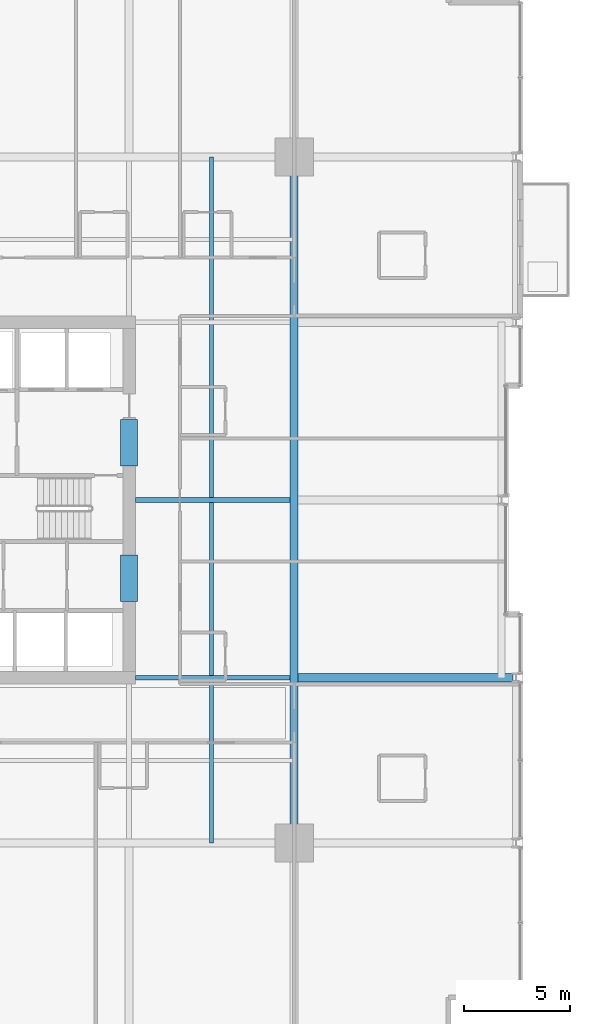
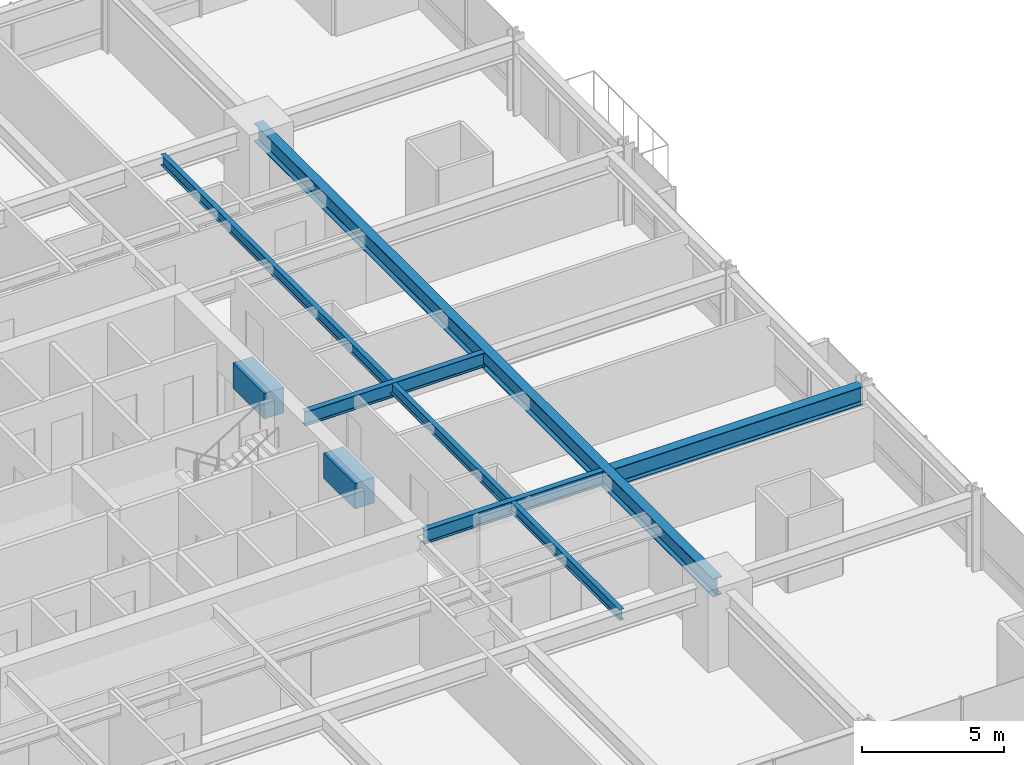
# One storey, part 15 of 38: 7 beams.
"""IFC4 building model written with IfcOpenShell, lengths in metres."""

import ifcopenshell
import ifcopenshell.guid

model = None  # the IFC model being written
_history = None  # IfcOwnerHistory: only IFC2X3 demands one
_inside = {}  # id of a spatial element -> (the spatial element, [elements in it])
_under = {}  # id of a project, library or spatial element -> (it, [spatial elements below it])
_declared = {}  # id of a project -> (the project, [libraries it declares])
_typed = {}  # id of a type object -> (the type object, [elements of that type])
_made_of = {}  # id of a material, layer set ... -> (it, [elements and type objects made of it])


def new_model(schema):
    """Start an empty IFC model of exactly this schema.

    Asked for "IFC4X3", IfcOpenShell would pick the latest addendum, in which some entities
    have other attributes; the version numbers below select the first issue.
    IFC2X3 requires an IfcOwnerHistory on every rooted entity: one is made here for all.
    """
    global model, _history
    if schema == "IFC4X3":
        model = ifcopenshell.file(schema_version=(4, 3, 0, 0))
    else:
        model = ifcopenshell.file(schema=schema)
    _inside.clear()
    _under.clear()
    _declared.clear()
    _typed.clear()
    _made_of.clear()
    _history = None
    if model.schema == "IFC2X3":
        org = make("IfcOrganization", Name="unknown")
        user = make(
            "IfcPersonAndOrganization",
            ThePerson=make("IfcPerson", FamilyName="unknown"),
            TheOrganization=org,
        )
        app = make(
            "IfcApplication",
            ApplicationDeveloper=org,
            Version="unknown",
            ApplicationFullName="unknown",
            ApplicationIdentifier="unknown",
        )
        _history = make(
            "IfcOwnerHistory",
            OwningUser=user,
            OwningApplication=app,
            ChangeAction="ADDED",
            CreationDate=0,
        )
    return model


def make(cls, **values):
    """One entity of the class cls with the attributes given. An attribute that is None is left unset."""
    return model.create_entity(
        cls, **{name: value for name, value in values.items() if value is not None}
    )


def rooted(cls, **values):
    """An entity with a GlobalId (a new one), such as an element, a storey or a relation."""
    return make(cls, GlobalId=ifcopenshell.guid.new(), OwnerHistory=_history, **values)


def si_unit(unit_type, name, prefix=None):
    """IfcSIUnit, for example si_unit("LENGTHUNIT", "METRE", prefix="MILLI")."""
    return make("IfcSIUnit", UnitType=unit_type, Prefix=prefix, Name=name)


def assignment(units):
    """IfcUnitAssignment: the units of a project."""
    return None if units is None else make("IfcUnitAssignment", Units=units)


def point(xyz):
    """IfcCartesianPoint."""
    return None if xyz is None else make("IfcCartesianPoint", Coordinates=xyz)


def direction(xyz):
    """IfcDirection."""
    return None if xyz is None else make("IfcDirection", DirectionRatios=xyz)


def frame(location, z_axis=None, x_axis=None):
    """IfcAxis2Placement3D, a coordinate frame: its origin and axes. An axis left out is left unset."""
    return make(
        "IfcAxis2Placement3D",
        Location=point(location),
        Axis=direction(z_axis),
        RefDirection=direction(x_axis),
    )


def frame_2d(location, x_axis=None):
    """IfcAxis2Placement2D, a coordinate frame in the plane: its origin and x axis."""
    return make(
        "IfcAxis2Placement2D", Location=point(location), RefDirection=direction(x_axis)
    )


def origin():
    """The frame at (0, 0, 0) with its axes left unset."""
    return frame((0.0, 0.0, 0.0))


def origin_2d():
    """The frame at (0, 0) in the plane with its x axis left unset."""
    return frame_2d((0.0, 0.0))


def place(relative_to, where):
    """IfcLocalPlacement: puts the frame where relative to a parent placement (None: the world)."""
    return make(
        "IfcLocalPlacement", PlacementRelTo=relative_to, RelativePlacement=where
    )


def context(
    kind, dimensions, precision=None, world=None, true_north=None, identifier=None
):
    """IfcGeometricRepresentationContext, for example the 3D "Model" context."""
    return make(
        "IfcGeometricRepresentationContext",
        ContextIdentifier=identifier,
        ContextType=kind,
        CoordinateSpaceDimension=dimensions,
        Precision=precision,
        WorldCoordinateSystem=world,
        TrueNorth=true_north,
    )


def subcontext(parent, identifier, kind, view, scale=None):
    """IfcGeometricRepresentationSubContext, for example "Body" below "Model"."""
    return make(
        "IfcGeometricRepresentationSubContext",
        ContextIdentifier=identifier,
        ContextType=kind,
        ParentContext=parent,
        TargetScale=scale,
        TargetView=view,
    )


def project(units=None, contexts=None):
    """IfcProject with its units and contexts."""
    return rooted(
        "IfcProject",
        Name="project",
        RepresentationContexts=contexts,
        UnitsInContext=assignment(units),
    )


def spatial(cls, under=None, at=None, **own):
    """A site, building, storey or space (cls), placed at a placement, below another one or the project."""
    s = rooted(cls, ObjectPlacement=at, **own)
    if under is not None:
        _under.setdefault(under.id(), (under, []))[1].append(s)
    return s


def profile(cls, at=None, kind="AREA", **sizes):
    """A parametric profile (cls). Its sizes go by their IFC names, for example OverallWidth=200.0."""
    return make(cls, ProfileType=kind, Position=at, **sizes)


def rectangle(**sizes):
    """IfcRectangleProfileDef."""
    return profile("IfcRectangleProfileDef", **sizes)


def i_section(**sizes):
    """IfcIShapeProfileDef."""
    return profile("IfcIShapeProfileDef", **sizes)


def extrude(swept, where, along, depth):
    """IfcExtrudedAreaSolid: the profile swept, set in the frame where, extruded along a direction by depth."""
    return make(
        "IfcExtrudedAreaSolid",
        SweptArea=swept,
        Position=where,
        ExtrudedDirection=direction(along),
        Depth=depth,
    )


def shape(context_of_items, identifier, shape_type, items):
    """IfcShapeRepresentation: the items that make up one representation, for example the "Body"."""
    return make(
        "IfcShapeRepresentation",
        ContextOfItems=context_of_items,
        RepresentationIdentifier=identifier,
        RepresentationType=shape_type,
        Items=items,
    )


def material(Name=None, Category=None):
    """IfcMaterial."""
    return make("IfcMaterial", Name=Name, Category=Category)


def material_profile(
    of_material, cross_section, Name=None, Category=None, Priority=None
):
    """IfcMaterialProfile: a cross section and its material."""
    return make(
        "IfcMaterialProfile",
        Name=Name,
        Material=of_material,
        Profile=cross_section,
        Priority=Priority,
        Category=Category,
    )


def profile_set(profiles, Name=None, composite=None):
    """IfcMaterialProfileSet."""
    return make(
        "IfcMaterialProfileSet",
        Name=Name,
        MaterialProfiles=profiles,
        CompositeProfile=composite,
    )


def made_of(thing, what):
    """Note that an element or type object is made of a material, layer set ...; save() writes the relation."""
    if what is not None:
        _made_of.setdefault(what.id(), (what, []))[1].append(thing)
    return thing


def type_object(cls, material=None, **own):
    """A type object (cls), such as IfcWallType, which elements share."""
    return made_of(rooted(cls, **own), material)


def element(
    cls,
    number,
    at=None,
    inside=None,
    cuts=None,
    type_object=None,
    material=None,
    context=None,
    identifier="Body",
    shape_type=None,
    held_by="IfcProductDefinitionShape",
    body=None,
    shapes=None,
    **own,
):
    """One element of the class cls, such as IfcWall. Its Tag is "e" and its number.

    at: its placement. inside: the storey or other place that contains it. cuts: it is an
    opening in that element (IfcRelVoidsElement). A single representation is given by context,
    identifier, shape_type and body (its items); several are given by shapes. held_by: the class
    of the entity that holds the representations. save() writes the other relations.
    """
    e = rooted(cls, Tag="e%d" % number, ObjectPlacement=at, **own)
    if body is not None:
        shapes = [shape(context, identifier, shape_type, body)]
    if shapes is not None:
        e.Representation = make(held_by, Representations=shapes)
    if inside is not None:
        _inside.setdefault(inside.id(), (inside, []))[1].append(e)
    if cuts is not None:
        rooted(
            "IfcRelVoidsElement", RelatingBuildingElement=cuts, RelatedOpeningElement=e
        )
    if type_object is not None:
        _typed.setdefault(type_object.id(), (type_object, []))[1].append(e)
    return made_of(e, material)


def aggregate(whole, parts):
    """IfcRelAggregates: a whole, such as a stair, and the parts it consists of."""
    return rooted("IfcRelAggregates", RelatingObject=whole, RelatedObjects=parts)


def save(model, path):
    """Write the relations noted so far, then the file.

    IfcRelAggregates (storeys below a building ...), IfcRelContainedInSpatialStructure (elements
    in a storey), IfcRelDefinesByType, IfcRelAssociatesMaterial and IfcRelDeclares: one each for
    every whole, place, type object, material and project.
    """
    for whole, parts in _under.values():
        aggregate(whole, parts)
    for where, things in _inside.values():
        rooted(
            "IfcRelContainedInSpatialStructure",
            RelatedElements=things,
            RelatingStructure=where,
        )
    for kind, things in _typed.values():
        rooted("IfcRelDefinesByType", RelatedObjects=things, RelatingType=kind)
    for what, things in _made_of.values():
        rooted("IfcRelAssociatesMaterial", RelatedObjects=things, RelatingMaterial=what)
    for by, libraries in _declared.values():
        rooted("IfcRelDeclares", RelatingContext=by, RelatedDefinitions=libraries)
    model.write(path)


model = new_model("IFC4")

# Units and contexts
model_context = context("Model", 3, precision=1e-05, world=origin(), true_north=direction((0.0, 1.0)))
body_context = subcontext(model_context, "Body", "Model", "MODEL_VIEW")
ifc_project = project(units=[si_unit("LENGTHUNIT", "METRE"), si_unit("AREAUNIT", "SQUARE_METRE"), si_unit("VOLUMEUNIT", "CUBIC_METRE"), si_unit("PLANEANGLEUNIT", "RADIAN"), si_unit("MASSUNIT", "GRAM", prefix="KILO")], contexts=[model_context])

# Site, building, storey
site_placement = place(None, origin())
site = spatial("IfcSite", under=ifc_project, at=site_placement, CompositionType="ELEMENT")
building_placement = place(site_placement, origin())
building = spatial("IfcBuilding", under=site, at=building_placement, Name="Drelvath Grand Hotel", CompositionType="ELEMENT")
storey_placement = place(building_placement, frame((0.0, 0.0, 64.699951171875)))
storey = spatial("IfcBuildingStorey", under=building, at=storey_placement, Name="L15", CompositionType="ELEMENT", Elevation=64.699951171875)

# Beams
ifc_material_1 = material(Name="Steel ASTM A992 Gr 50", Category="steel")
ifc_material_profile_1 = material_profile(ifc_material_1, i_section(OverallWidth=0.19140625, OverallDepth=0.4599609375, WebThickness=0.010009765625, FlangeThickness=0.01611328125, FilletRadius=0.01611328125, at=origin_2d()), Name="W18X55")
ifc_profile_set_1 = profile_set([ifc_material_profile_1], Name="Steel ASTM A992 Gr 50")
beam_type_1 = type_object("IfcBeamType", Name="Composite Floor Joist W18X55", PredefinedType="JOIST", material=ifc_profile_set_1)
beam_1_placement = place(storey_placement, frame((12.300048828125, 10.800048828125, 3.010009765625), z_axis=(0.0, 1.0, 0.0), x_axis=(-1.0, 0.0, 0.0)))
element("IfcBeam", 1, at=beam_1_placement, inside=storey, type_object=beam_type_1, Name="L15 Wing Floor Joist J4", PredefinedType="JOIST", context=body_context, shape_type="SweptSolid", body=[
    extrude(i_section(OverallWidth=0.19140625, OverallDepth=0.4599609375, WebThickness=0.010009765625, FlangeThickness=0.01611328125, FilletRadius=0.01611328125, at=origin_2d()), origin(), (0.0, 0.0, 1.0), 32.39990234375),
])
ifc_material_2 = material(Name="Concrete f'c 70 MPa", Category="concrete")
ifc_material_profile_2 = material_profile(ifc_material_2, rectangle(XDim=0.800048828125, YDim=1.10009765625, at=origin_2d()), Name="CB800X1100")
ifc_profile_set_2 = profile_set([ifc_material_profile_2], Name="Concrete f'c 70 MPa")
beam_type_2 = type_object("IfcBeamType", Name="Core Coupling Lintel CB800X1100", PredefinedType="LINTEL", material=ifc_profile_set_2)
for number, where, z_axis, x_axis, name in (
    (2, (8.39990234375, 22.199951171875, 2.68994140625), (0.0, 1.0, 0.0), (-1.0, 0.0, 0.0), "L15 Core Coupling Lintel ES"),
    (3, (8.39990234375, 28.60009765625, 2.68994140625), (0.0, 1.0, 0.0), (-1.0, 0.0, 0.0), "L15 Core Coupling Lintel EN"),
):
    element("IfcBeam", number, at=place(storey_placement, frame(where, z_axis=z_axis, x_axis=x_axis)), inside=storey, type_object=beam_type_2, Name=name, PredefinedType="LINTEL", context=body_context, shape_type="SweptSolid", body=[
        extrude(rectangle(XDim=0.800048828125, YDim=1.10009765625, at=origin_2d()), origin(), (0.0, 0.0, 1.0), 2.199951171875),
    ])
ifc_material_profile_3 = material_profile(ifc_material_1, i_section(OverallWidth=0.228271484375, OverallDepth=0.607666015625, WebThickness=0.01123046875, FlangeThickness=0.017333984375, FilletRadius=0.02001953125, at=origin_2d()), Name="W24X76")
ifc_profile_set_3 = profile_set([ifc_material_profile_3], Name="Steel ASTM A992 Gr 50")
beam_type_3 = type_object("IfcBeamType", Name="Primary Floor Girder W24X76", PredefinedType="BEAM", material=ifc_profile_set_3)
for number, where, z_axis, x_axis, name in (
    (4, (8.699951171875, 18.60009765625, 2.936279296875), (1.0, 0.0, 0.0), (0.0, 1.0, 0.0), "L15 East Core Tie D"),
    (5, (8.699951171875, 27.0, 2.936279296875), (1.0, 0.0, 0.0), (0.0, 1.0, 0.0), "L15 East Core Tie E"),
):
    element("IfcBeam", number, at=place(storey_placement, frame(where, z_axis=z_axis, x_axis=x_axis)), inside=storey, type_object=beam_type_3, Name=name, PredefinedType="BEAM", context=body_context, shape_type="SweptSolid", body=[
        extrude(i_section(OverallWidth=0.228271484375, OverallDepth=0.607666015625, WebThickness=0.01123046875, FlangeThickness=0.017333984375, FilletRadius=0.02001953125, at=origin_2d()), origin(), (0.0, 0.0, 1.0), 7.309814453125),
    ])
ifc_material_profile_4 = material_profile(ifc_material_1, i_section(OverallWidth=0.380615234375, OverallDepth=0.773193359375, WebThickness=0.0166015625, FlangeThickness=0.027099609375, FilletRadius=0.02490234375, at=origin_2d()), Name="W30X173")
ifc_profile_set_4 = profile_set([ifc_material_profile_4], Name="Steel ASTM A992 Gr 50")
beam_type_4 = type_object("IfcBeamType", Name="Primary Floor Girder W30X173", PredefinedType="BEAM", material=ifc_profile_set_4)
beam_2_placement = place(storey_placement, frame((16.199951171875, 10.800048828125, 2.853515625), z_axis=(0.0, 1.0, 0.0), x_axis=(-1.0, 0.0, 0.0)))
element("IfcBeam", 6, at=beam_2_placement, inside=storey, type_object=beam_type_4, Name="L15 Mega Ring Girder East", PredefinedType="BEAM", context=body_context, shape_type="SweptSolid", body=[
    extrude(i_section(OverallWidth=0.380615234375, OverallDepth=0.773193359375, WebThickness=0.0166015625, FlangeThickness=0.027099609375, FilletRadius=0.02490234375, at=origin_2d()), origin(), (0.0, 0.0, 1.0), 32.39990234375),
])
beam_3_placement = place(storey_placement, frame((16.390380859375, 18.60009765625, 2.853515625), z_axis=(1.0, 0.0, 0.0), x_axis=(0.0, 1.0, 0.0)))
element("IfcBeam", 7, at=beam_3_placement, inside=storey, type_object=beam_type_4, Name="L15 East Wing Girder D", PredefinedType="BEAM", context=body_context, shape_type="SweptSolid", body=[
    extrude(i_section(OverallWidth=0.380615234375, OverallDepth=0.773193359375, WebThickness=0.0166015625, FlangeThickness=0.027099609375, FilletRadius=0.02490234375, at=origin_2d()), origin(), (0.0, 0.0, 1.0), 10.149658203125),
])

save(model, "model.ifc")
